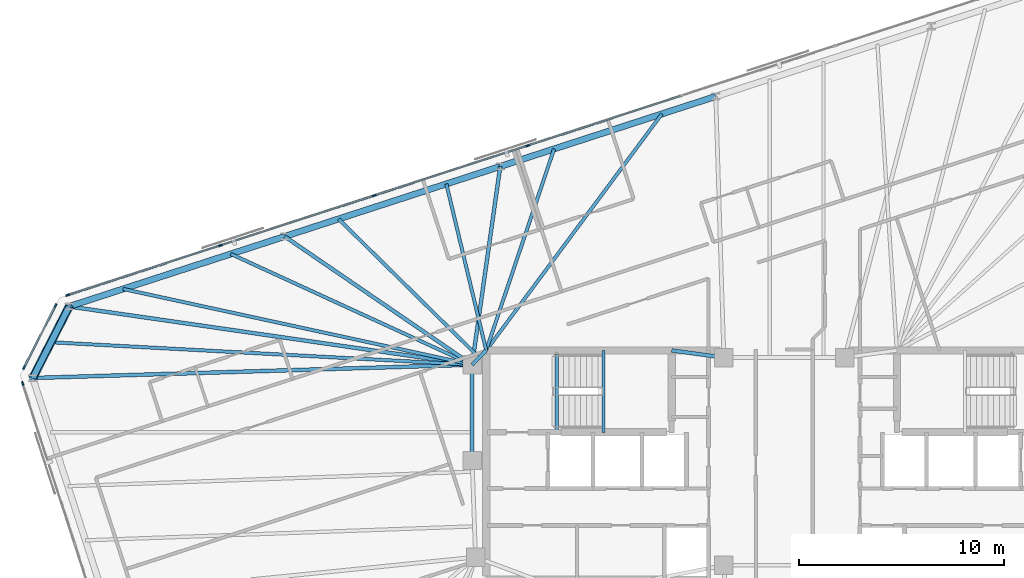
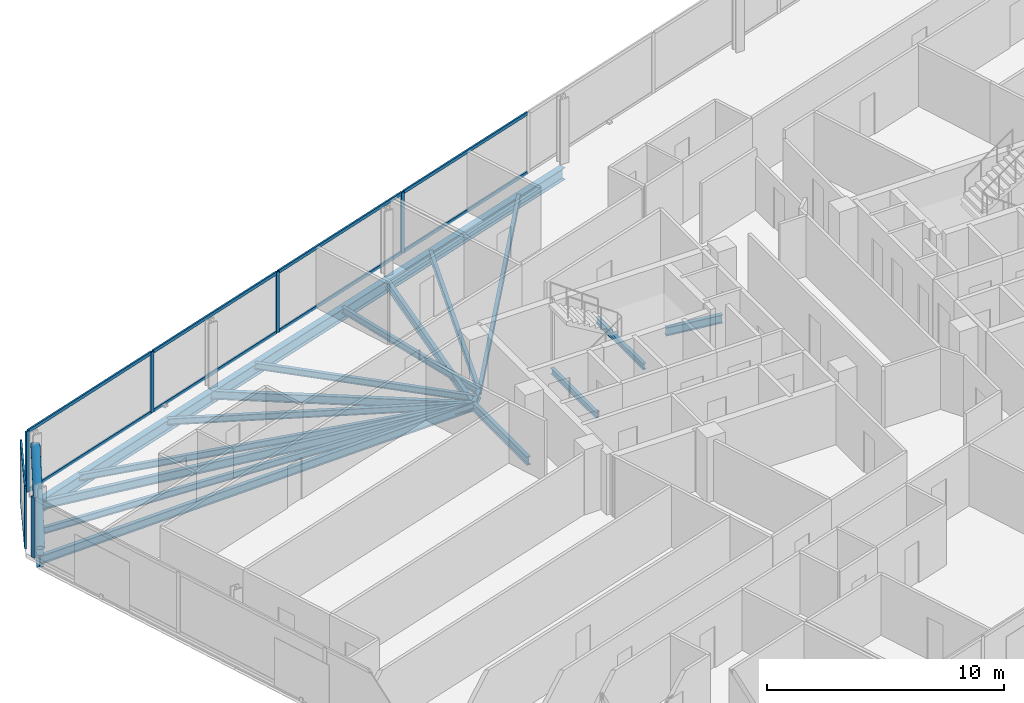
# One storey, part 9 of 19: 20 beams, 18 members, 3 elements without a shape of their own.
"""IFC4 building model written with IfcOpenShell, lengths in metres."""

from ifc_helpers import new_model, si_unit, direction, frame, origin, origin_2d, place, context, subcontext, project, spatial, rectangle, hollow_circle, i_section, extrude, material, material_profile, profile_set, type_object, element, aggregate, save


model = new_model("IFC4")

# Units and contexts
model_context = context("Model", 3, precision=1e-05, world=origin(), true_north=direction((0.0, 1.0)))
body_context = subcontext(model_context, "Body", "Model", "MODEL_VIEW")
ifc_project = project(units=[si_unit("LENGTHUNIT", "METRE"), si_unit("AREAUNIT", "SQUARE_METRE"), si_unit("VOLUMEUNIT", "CUBIC_METRE"), si_unit("PLANEANGLEUNIT", "RADIAN"), si_unit("MASSUNIT", "GRAM", prefix="KILO")], contexts=[model_context])

# Site, building, storey
site_placement = place(None, origin())
site = spatial("IfcSite", under=ifc_project, at=site_placement, CompositionType="ELEMENT")
building_placement = place(site_placement, origin())
building = spatial("IfcBuilding", under=site, at=building_placement, Name="Menara Jurai Vektor", CompositionType="ELEMENT")
storey_placement = place(building_placement, frame((0.0, 0.0, 220.949951171875)))
storey = spatial("IfcBuildingStorey", under=building, at=storey_placement, Name="L58", CompositionType="ELEMENT", Elevation=220.949951171875)

# Curtain wall, members
ifc_material_1 = material(Name="Anodised Pale Aluminium & Low-E Double Glazing", Category="aluminium")
curtain_wall_type = type_object("IfcCurtainWallType", Name="CW-BLK4", PredefinedType="NOTDEFINED", material=ifc_material_1)
curtain_wall_1_placement = place(storey_placement, origin())
curtain_wall_1 = element("IfcCurtainWall", 1, at=curtain_wall_1_placement, inside=storey, type_object=curtain_wall_type, Name="Unitised Curtain Wall L58 F05", PredefinedType="NOTDEFINED")
ifc_material_2 = material(Name="Anodised Pale Aluminium Mullion", Category="aluminium")
ifc_material_profile_1 = material_profile(ifc_material_2, rectangle(XDim=0.080078125, YDim=0.18994140625, at=origin_2d()), Name="ALU MUL 80x190")
ifc_profile_set_1 = profile_set([ifc_material_profile_1], Name="Anodised Pale Aluminium Mullion")
member_type_1 = type_object("IfcMemberType", Name="CW-BLK4-MUL", PredefinedType="MULLION", material=ifc_profile_set_1)
member_1_placement = place(storey_placement, frame((-12.532958984375, 15.601806640625, 0.0), z_axis=(0.0, 0.0, 1.0), x_axis=(0.309017344167, -0.951056402641, 0.0)))
member_1 = element("IfcMember", 2, at=member_1_placement, type_object=member_type_1, Name="CW-04 mullion 5", PredefinedType="MULLION", context=body_context, shape_type="SweptSolid", body=[
    extrude(rectangle(XDim=0.080078125, YDim=0.18994140625, at=origin_2d()), origin(), (0.0, 0.0, 1.0), 3.125),
])
member_2_placement = place(storey_placement, frame((-20.0380859375, 13.163330078125, 0.0), z_axis=(0.0, 0.0, 1.0), x_axis=(0.309017344167, -0.951056402641, 0.0)))
member_2 = element("IfcMember", 3, at=member_2_placement, type_object=member_type_1, Name="CW-04 mullion 6", PredefinedType="MULLION", context=body_context, shape_type="SweptSolid", body=[
    extrude(rectangle(XDim=0.080078125, YDim=0.18994140625, at=origin_2d()), origin(), (0.0, 0.0, 1.0), 3.125),
])
member_3_placement = place(storey_placement, frame((-27.543212890625, 10.724609375, 0.0), z_axis=(0.0, 0.0, 1.0), x_axis=(0.309017344167, -0.951056402641, 0.0)))
member_3 = element("IfcMember", 4, at=member_3_placement, type_object=member_type_1, Name="CW-04 mullion 7", PredefinedType="MULLION", context=body_context, shape_type="SweptSolid", body=[
    extrude(rectangle(XDim=0.080078125, YDim=0.18994140625, at=origin_2d()), origin(), (0.0, 0.0, 1.0), 3.125),
])
member_4_placement = place(storey_placement, frame((-35.010498046875, 8.29833984375, 0.0), z_axis=(0.0, 0.0, 1.0), x_axis=(0.309017344167, -0.951056402641, 0.0)))
member_4 = element("IfcMember", 5, at=member_4_placement, type_object=member_type_1, Name="CW-04 mullion 8", PredefinedType="MULLION", context=body_context, shape_type="SweptSolid", body=[
    extrude(rectangle(XDim=0.080078125, YDim=0.18994140625, at=origin_2d()), origin(), (0.0, 0.0, 1.0), 3.125),
])

curtain_wall_2_placement = place(storey_placement, origin())
curtain_wall_2 = element("IfcCurtainWall", 6, at=curtain_wall_2_placement, inside=storey, type_object=curtain_wall_type, Name="Unitised Curtain Wall L58 F06", PredefinedType="NOTDEFINED")
member_5_placement = place(storey_placement, frame((-35.6005859375, 7.79443359375, 0.0), z_axis=(0.0, 0.0, 1.0), x_axis=(0.89100750243, -0.453988579828, 0.0)))
member_5 = element("IfcMember", 7, at=member_5_placement, type_object=member_type_1, Name="CW-04 mullion 1", PredefinedType="MULLION", context=body_context, shape_type="SweptSolid", body=[
    extrude(rectangle(XDim=0.080078125, YDim=0.18994140625, at=origin_2d()), origin(), (0.0, 0.0, 1.0), 3.125),
])
member_6_placement = place(storey_placement, frame((-37.145263671875, 4.7626953125, 0.0), z_axis=(0.0, 0.0, 1.0), x_axis=(0.89100750243, -0.453988579828, 0.0)))
member_6 = element("IfcMember", 8, at=member_6_placement, type_object=member_type_1, Name="CW-04 mullion 2", PredefinedType="MULLION", context=body_context, shape_type="SweptSolid", body=[
    extrude(rectangle(XDim=0.080078125, YDim=0.18994140625, at=origin_2d()), origin(), (0.0, 0.0, 1.0), 3.125),
])

# Curtain wall, member
curtain_wall_3_placement = place(storey_placement, origin())
curtain_wall_3 = element("IfcCurtainWall", 9, at=curtain_wall_3_placement, inside=storey, type_object=curtain_wall_type, Name="Unitised Curtain Wall L58 F07", PredefinedType="NOTDEFINED")
member_7_placement = place(storey_placement, frame((-37.206298828125, 3.989013671875, 0.0), z_axis=(0.0, 0.0, 1.0), x_axis=(0.95105668295, 0.309016481464, 0.0)))
member_7 = element("IfcMember", 10, at=member_7_placement, type_object=member_type_1, Name="CW-04 mullion 1", PredefinedType="MULLION", context=body_context, shape_type="SweptSolid", body=[
    extrude(rectangle(XDim=0.080078125, YDim=0.18994140625, at=origin_2d()), origin(), (0.0, 0.0, 1.0), 3.125),
])
aggregate(curtain_wall_3, [member_7])

# Member
ifc_material_3 = material(Name="Anodised Pale Aluminium Transom", Category="aluminium")
ifc_material_profile_2 = material_profile(ifc_material_3, rectangle(XDim=0.080078125, YDim=0.1650390625, at=origin_2d()), Name="ALU TRN 80x165")
ifc_profile_set_2 = profile_set([ifc_material_profile_2], Name="Anodised Pale Aluminium Transom")
member_type_2 = type_object("IfcMemberType", Name="CW-BLK4-TRN", PredefinedType="USERDEFINED", material=ifc_profile_set_2)
member_8_placement = place(storey_placement, frame((-5.06591796875, 18.028076171875, 0.0400390625), z_axis=(-0.95105634578, -0.309017519167, 0.0), x_axis=(0.309017519167, -0.95105634578, 0.0)))
member_8 = element("IfcMember", 11, at=member_8_placement, type_object=member_type_2, Name="CW-04 transom 4.1", ObjectType="TRANSOM", PredefinedType="USERDEFINED", context=body_context, shape_type="SweptSolid", body=[
    extrude(rectangle(XDim=0.080078125, YDim=0.1650390625, at=origin_2d()), origin(), (0.0, 0.0, 1.0), 7.811279296875),
])

member_9_placement = place(storey_placement, frame((-5.06591796875, 18.028076171875, 3.0849609375), z_axis=(-0.95105634578, -0.309017519167, 0.0), x_axis=(0.309017519167, -0.95105634578, 0.0)))
member_9 = element("IfcMember", 12, at=member_9_placement, type_object=member_type_2, Name="CW-04 transom 4.2", ObjectType="TRANSOM", PredefinedType="USERDEFINED", context=body_context, shape_type="SweptSolid", body=[
    extrude(rectangle(XDim=0.080078125, YDim=0.1650390625, at=origin_2d()), origin(), (0.0, 0.0, 1.0), 7.811279296875),
])

member_10_placement = place(storey_placement, frame((-12.571044921875, 15.589599609375, 0.0400390625), z_axis=(-0.95104715984, -0.309045789099, 0.0), x_axis=(0.309045789099, -0.95104715984, 0.0)))
member_10 = element("IfcMember", 13, at=member_10_placement, type_object=member_type_2, Name="CW-04 transom 5.1", ObjectType="TRANSOM", PredefinedType="USERDEFINED", context=body_context, shape_type="SweptSolid", body=[
    extrude(rectangle(XDim=0.080078125, YDim=0.1650390625, at=origin_2d()), origin(), (0.0, 0.0, 1.0), 7.811279296875),
])

member_11_placement = place(storey_placement, frame((-12.571044921875, 15.589599609375, 3.0849609375), z_axis=(-0.95104715984, -0.309045789099, 0.0), x_axis=(0.309045789099, -0.95104715984, 0.0)))
member_11 = element("IfcMember", 14, at=member_11_placement, type_object=member_type_2, Name="CW-04 transom 5.2", ObjectType="TRANSOM", PredefinedType="USERDEFINED", context=body_context, shape_type="SweptSolid", body=[
    extrude(rectangle(XDim=0.080078125, YDim=0.1650390625, at=origin_2d()), origin(), (0.0, 0.0, 1.0), 7.811279296875),
])

member_12_placement = place(storey_placement, frame((-20.076171875, 13.15087890625, 0.0400390625), z_axis=(-0.951059330237, -0.309008333817, 0.0), x_axis=(0.309008333817, -0.951059330237, 0.0)))
member_12 = element("IfcMember", 15, at=member_12_placement, type_object=member_type_2, Name="CW-04 transom 6.1", ObjectType="TRANSOM", PredefinedType="USERDEFINED", context=body_context, shape_type="SweptSolid", body=[
    extrude(rectangle(XDim=0.080078125, YDim=0.1650390625, at=origin_2d()), origin(), (0.0, 0.0, 1.0), 7.8115234375),
])

member_13_placement = place(storey_placement, frame((-20.076171875, 13.15087890625, 3.0849609375), z_axis=(-0.951059330237, -0.309008333817, 0.0), x_axis=(0.309008333817, -0.951059330237, 0.0)))
member_13 = element("IfcMember", 16, at=member_13_placement, type_object=member_type_2, Name="CW-04 transom 6.2", ObjectType="TRANSOM", PredefinedType="USERDEFINED", context=body_context, shape_type="SweptSolid", body=[
    extrude(rectangle(XDim=0.080078125, YDim=0.1650390625, at=origin_2d()), origin(), (0.0, 0.0, 1.0), 7.8115234375),
])

member_14_placement = place(storey_placement, frame((-27.581298828125, 10.71240234375, 0.0400390625), z_axis=(-0.951052997543, -0.309027823771, 0.0), x_axis=(0.309027823771, -0.951052997543, 0.0)))
member_14 = element("IfcMember", 17, at=member_14_placement, type_object=member_type_2, Name="CW-04 transom 7.1", ObjectType="TRANSOM", PredefinedType="USERDEFINED", context=body_context, shape_type="SweptSolid", body=[
    extrude(rectangle(XDim=0.080078125, YDim=0.1650390625, at=origin_2d()), origin(), (0.0, 0.0, 1.0), 7.771484375),
])

member_15_placement = place(storey_placement, frame((-27.581298828125, 10.71240234375, 3.0849609375), z_axis=(-0.951052997543, -0.309027823771, 0.0), x_axis=(0.309027823771, -0.951052997543, 0.0)))
member_15 = element("IfcMember", 18, at=member_15_placement, type_object=member_type_2, Name="CW-04 transom 7.2", ObjectType="TRANSOM", PredefinedType="USERDEFINED", context=body_context, shape_type="SweptSolid", body=[
    extrude(rectangle(XDim=0.080078125, YDim=0.1650390625, at=origin_2d()), origin(), (0.0, 0.0, 1.0), 7.771484375),
])

aggregate(curtain_wall_1, [member_1, member_2, member_3, member_4, member_8, member_9, member_10, member_11, member_12, member_13, member_14, member_15])

member_16_placement = place(storey_placement, frame((-35.61865234375, 7.7587890625, 0.0400390625), z_axis=(-0.454019339544, -0.890991828986, 0.0), x_axis=(0.890991828986, -0.454019339544, 0.0)))
member_16 = element("IfcMember", 19, at=member_16_placement, type_object=member_type_2, Name="CW-04 transom 1.1", ObjectType="TRANSOM", PredefinedType="USERDEFINED", context=body_context, shape_type="SweptSolid", body=[
    extrude(rectangle(XDim=0.080078125, YDim=0.1650390625, at=origin_2d()), origin(), (0.0, 0.0, 1.0), 3.32275390625),
])

member_17_placement = place(storey_placement, frame((-35.61865234375, 7.7587890625, 3.0849609375), z_axis=(-0.454019339544, -0.890991828986, 0.0), x_axis=(0.890991828986, -0.454019339544, 0.0)))
member_17 = element("IfcMember", 20, at=member_17_placement, type_object=member_type_2, Name="CW-04 transom 1.2", ObjectType="TRANSOM", PredefinedType="USERDEFINED", context=body_context, shape_type="SweptSolid", body=[
    extrude(rectangle(XDim=0.080078125, YDim=0.1650390625, at=origin_2d()), origin(), (0.0, 0.0, 1.0), 3.32275390625),
])

aggregate(curtain_wall_2, [member_5, member_6, member_16, member_17])

# Beams
ifc_material_4 = material(Name="Steel S355", Category="steel")
ifc_material_profile_3 = material_profile(ifc_material_4, i_section(OverallWidth=0.18505859375, OverallDepth=0.429931640625, WebThickness=0.010986328125, FlangeThickness=0.01806640625, at=origin_2d()), Name="PG 430x185x76")
ifc_profile_set_3 = profile_set([ifc_material_profile_3], Name="Steel S355")
beam_type_1 = type_object("IfcBeamType", Name="STR-BM-430", PredefinedType="BEAM", material=ifc_profile_set_3)
beam_1_placement = place(storey_placement, frame((-15.25, 4.89990234375, -0.43994140625), z_axis=(0.701871936926, 0.712303154672, 0.0), x_axis=(-0.712303154672, 0.701871936926, 0.0)))
element("IfcBeam", 21, at=beam_1_placement, inside=storey, type_object=beam_type_1, Name="Core Ring Header Girder L58-CHW-N1", PredefinedType="BEAM", context=body_context, shape_type="SweptSolid", body=[
    extrude(i_section(OverallWidth=0.18505859375, OverallDepth=0.429931640625, WebThickness=0.010986328125, FlangeThickness=0.01806640625, at=origin_2d()), origin(), (0.0, 0.0, 1.0), 0.98291015625),
])
beam_2_placement = place(storey_placement, frame((-5.5, 5.60009765625, -0.43994140625), z_axis=(0.990706818608, -0.136014703483, 0.0), x_axis=(0.136014703483, 0.990706818608, 0.0)))
element("IfcBeam", 22, at=beam_2_placement, inside=storey, type_object=beam_type_1, Name="Core Ring Header Girder L58-CHW-N2", PredefinedType="BEAM", context=body_context, shape_type="SweptSolid", body=[
    extrude(i_section(OverallWidth=0.18505859375, OverallDepth=0.429931640625, WebThickness=0.010986328125, FlangeThickness=0.01806640625, at=origin_2d()), origin(), (0.0, 0.0, 1.0), 2.573974609375),
])
beam_3_placement = place(storey_placement, frame((-15.25, 0.219970703125, -0.43994140625), z_axis=(0.0, 1.0, 0.0), x_axis=(-1.0, 0.0, 0.0)))
element("IfcBeam", 23, at=beam_3_placement, inside=storey, type_object=beam_type_1, Name="Core Ring Header Girder L58-CHW-W1", PredefinedType="BEAM", context=body_context, shape_type="SweptSolid", body=[
    extrude(i_section(OverallWidth=0.18505859375, OverallDepth=0.429931640625, WebThickness=0.010986328125, FlangeThickness=0.01806640625, at=origin_2d()), origin(), (0.0, 0.0, 1.0), 4.679931640625),
])
beam_4_placement = place(storey_placement, frame((-13.875, 14.58740234375, -0.43994140625), z_axis=(-0.140527035582, -0.990076841599, 0.0), x_axis=(0.990076841599, -0.140527035582, 0.0)))
element("IfcBeam", 24, at=beam_4_placement, inside=storey, type_object=beam_type_1, Name="Radial Floor Girder L58-N4", PredefinedType="BEAM", context=body_context, shape_type="SweptSolid", body=[
    extrude(i_section(OverallWidth=0.18505859375, OverallDepth=0.429931640625, WebThickness=0.010986328125, FlangeThickness=0.01806640625, at=origin_2d()), origin(), (0.0, 0.0, 1.0), 9.78466796875),
])
beam_5_placement = place(storey_placement, frame((-24.404296875, 11.166259765625, -0.43994140625), z_axis=(0.825185786768, -0.564861414257, 0.0), x_axis=(0.564861414257, 0.825185786768, 0.0)))
element("IfcBeam", 25, at=beam_5_placement, inside=storey, type_object=beam_type_1, Name="Radial Floor Girder L58-N5", PredefinedType="BEAM", context=body_context, shape_type="SweptSolid", body=[
    extrude(i_section(OverallWidth=0.18505859375, OverallDepth=0.429931640625, WebThickness=0.010986328125, FlangeThickness=0.01806640625, at=origin_2d()), origin(), (0.0, 0.0, 1.0), 11.093505859375),
])
beam_6_placement = place(storey_placement, frame((-34.93359375, 7.7451171875, -0.43994140625), z_axis=(0.989713916117, -0.14306070126, 0.0), x_axis=(0.14306070126, 0.989713916117, 0.0)))
element("IfcBeam", 26, at=beam_6_placement, inside=storey, type_object=beam_type_1, Name="Radial Floor Girder L58-N6", PredefinedType="BEAM", context=body_context, shape_type="SweptSolid", body=[
    extrude(i_section(OverallWidth=0.18505859375, OverallDepth=0.429931640625, WebThickness=0.010986328125, FlangeThickness=0.01806640625, at=origin_2d()), origin(), (0.0, 0.0, 1.0), 19.88818359375),
])
beam_7_placement = place(storey_placement, frame((-36.71337890625, 4.251953125, -0.43994140625), z_axis=(0.999544635638, 0.030174846589, 0.0), x_axis=(-0.030174846589, 0.999544635638, 0.0)))
element("IfcBeam", 27, at=beam_7_placement, inside=storey, type_object=beam_type_1, Name="Radial Floor Girder L58-W1", PredefinedType="BEAM", context=body_context, shape_type="SweptSolid", body=[
    extrude(i_section(OverallWidth=0.18505859375, OverallDepth=0.429931640625, WebThickness=0.010986328125, FlangeThickness=0.01806640625, at=origin_2d()), origin(), (0.0, 0.0, 1.0), 21.47314453125),
])

# Member
ifc_material_5 = material(Name="Steel S460", Category="steel")
ifc_material_profile_4 = material_profile(ifc_material_5, hollow_circle(Radius=0.203125, WallThickness=0.01611328125, at=origin_2d()), Name="CHS 406.4x16")
ifc_profile_set_4 = profile_set([ifc_material_profile_4], Name="Steel S460")
member_type_3 = type_object("IfcMemberType", Name="STR-BR-406", PredefinedType="BRACE", material=ifc_profile_set_4)
member_18_placement = place(storey_placement, frame((-36.71337890625, 4.251953125, 0.150146484375), z_axis=(0.377225079071, 0.740375367811, 0.556368182465), x_axis=(-0.891013832566, 0.453976155955, 0.0)))
element("IfcMember", 28, at=member_18_placement, inside=storey, type_object=member_type_3, Name="Exoskeleton Corner Brace L58-3", PredefinedType="BRACE", context=body_context, shape_type="SweptSolid", body=[
    extrude(hollow_circle(Radius=0.203125, WallThickness=0.01611328125, at=origin_2d()), origin(), (0.0, 0.0, 1.0), 4.718017578125),
])

# Beams
ifc_material_profile_5 = material_profile(ifc_material_4, i_section(OverallWidth=0.1650390625, OverallDepth=0.330078125, WebThickness=0.009033203125, FlangeThickness=0.013916015625, at=origin_2d()), Name="PG 330x165x46")
ifc_profile_set_5 = profile_set([ifc_material_profile_5], Name="Steel S355")
beam_type_2 = type_object("IfcBeamType", Name="STR-JS-330", PredefinedType="JOIST", material=ifc_profile_set_5)
beam_8_placement = place(storey_placement, frame((-5.97802734375, 17.1533203125, -0.389892578125), z_axis=(-0.59630776033, -0.802755912448, 0.0), x_axis=(0.802755912448, -0.59630776033, 0.0)))
element("IfcBeam", 29, at=beam_8_placement, inside=storey, type_object=beam_type_2, Name="Radial Secondary Floor Joist L58-JS21", PredefinedType="JOIST", context=body_context, shape_type="SweptSolid", body=[
    extrude(i_section(OverallWidth=0.1650390625, OverallDepth=0.330078125, WebThickness=0.009033203125, FlangeThickness=0.013916015625, at=origin_2d()), origin(), (0.0, 0.0, 1.0), 14.391845703125),
])
beam_9_placement = place(storey_placement, frame((-11.24267578125, 15.44287109375, -0.389892578125), z_axis=(-0.319385076217, -0.94762501713, 0.0), x_axis=(0.94762501713, -0.319385076217, 0.0)))
element("IfcBeam", 30, at=beam_9_placement, inside=storey, type_object=beam_type_2, Name="Radial Secondary Floor Joist L58-JS22", PredefinedType="JOIST", context=body_context, shape_type="SweptSolid", body=[
    extrude(i_section(OverallWidth=0.1650390625, OverallDepth=0.330078125, WebThickness=0.009033203125, FlangeThickness=0.013916015625, at=origin_2d()), origin(), (0.0, 0.0, 1.0), 10.38671875),
])
beam_10_placement = place(storey_placement, frame((-16.50732421875, 13.732177734375, -0.389892578125), z_axis=(0.23287158907, -0.972507492518, 0.0), x_axis=(0.972507492518, 0.23287158907, 0.0)))
element("IfcBeam", 31, at=beam_10_placement, inside=storey, type_object=beam_type_2, Name="Radial Secondary Floor Joist L58-JS23", PredefinedType="JOIST", context=body_context, shape_type="SweptSolid", body=[
    extrude(i_section(OverallWidth=0.1650390625, OverallDepth=0.330078125, WebThickness=0.009033203125, FlangeThickness=0.013916015625, at=origin_2d()), origin(), (0.0, 0.0, 1.0), 8.362060546875),
])
beam_11_placement = place(storey_placement, frame((-21.77197265625, 12.021484375, -0.389892578125), z_axis=(0.7121893722, -0.701987391714, 0.0), x_axis=(0.701987391714, 0.7121893722, 0.0)))
element("IfcBeam", 32, at=beam_11_placement, inside=storey, type_object=beam_type_2, Name="Radial Secondary Floor Joist L58-JS24", PredefinedType="JOIST", context=body_context, shape_type="SweptSolid", body=[
    extrude(i_section(OverallWidth=0.1650390625, OverallDepth=0.330078125, WebThickness=0.009033203125, FlangeThickness=0.013916015625, at=origin_2d()), origin(), (0.0, 0.0, 1.0), 9.64404296875),
])
beam_12_placement = place(storey_placement, frame((-27.03662109375, 10.31103515625, -0.389892578125), z_axis=(0.908803804095, -0.417223735738, 0.0), x_axis=(0.417223735738, 0.908803804095, 0.0)))
element("IfcBeam", 33, at=beam_12_placement, inside=storey, type_object=beam_type_2, Name="Radial Secondary Floor Joist L58-JS25", PredefinedType="JOIST", context=body_context, shape_type="SweptSolid", body=[
    extrude(i_section(OverallWidth=0.1650390625, OverallDepth=0.330078125, WebThickness=0.009033203125, FlangeThickness=0.013916015625, at=origin_2d()), origin(), (0.0, 0.0, 1.0), 12.969482421875),
])
beam_13_placement = place(storey_placement, frame((-32.30126953125, 8.600341796875, -0.389892578125), z_axis=(0.977251946396, -0.212081666498, 0.0), x_axis=(0.212081666498, 0.977251946396, 0.0)))
element("IfcBeam", 34, at=beam_13_placement, inside=storey, type_object=beam_type_2, Name="Radial Secondary Floor Joist L58-JS26", PredefinedType="JOIST", context=body_context, shape_type="SweptSolid", body=[
    extrude(i_section(OverallWidth=0.1650390625, OverallDepth=0.330078125, WebThickness=0.009033203125, FlangeThickness=0.013916015625, at=origin_2d()), origin(), (0.0, 0.0, 1.0), 17.4482421875),
])
beam_14_placement = place(storey_placement, frame((-35.823486328125, 5.99853515625, -0.389892578125), z_axis=(0.998577239708, -0.053324444086, 0.0), x_axis=(0.053324444086, 0.998577239708, 0.0)))
element("IfcBeam", 35, at=beam_14_placement, inside=storey, type_object=beam_type_2, Name="Radial Secondary Floor Joist L58-JS27", PredefinedType="JOIST", context=body_context, shape_type="SweptSolid", body=[
    extrude(i_section(OverallWidth=0.1650390625, OverallDepth=0.330078125, WebThickness=0.009033203125, FlangeThickness=0.013916015625, at=origin_2d()), origin(), (0.0, 0.0, 1.0), 20.602783203125),
])
ifc_material_profile_6 = material_profile(ifc_material_4, i_section(OverallWidth=0.1650390625, OverallDepth=0.302978515625, WebThickness=0.006103515625, FlangeThickness=0.010009765625, FilletRadius=0.009033203125, at=origin_2d()), Name="UKB 305x165x40")
ifc_profile_set_6 = profile_set([ifc_material_profile_6], Name="Steel S355")
beam_type_3 = type_object("IfcBeamType", Name="STR-LN-305", PredefinedType="LINTEL", material=ifc_profile_set_6)
beam_15_placement = place(storey_placement, frame((-11.1201171875, 1.60009765625, -0.37646484375), z_axis=(0.0, 1.0, 0.0), x_axis=(-1.0, 0.0, 0.0)))
element("IfcBeam", 36, at=beam_15_placement, inside=storey, type_object=beam_type_3, Name="Stair Well Floor Trimmer ST1 L58", PredefinedType="LINTEL", context=body_context, shape_type="SweptSolid", body=[
    extrude(i_section(OverallWidth=0.1650390625, OverallDepth=0.302978515625, WebThickness=0.006103515625, FlangeThickness=0.010009765625, FilletRadius=0.009033203125, at=origin_2d()), origin(), (0.0, 0.0, 1.0), 3.81982421875),
])
beam_16_placement = place(storey_placement, frame((-8.830078125, 1.60009765625, 1.323486328125), z_axis=(0.0, 1.0, 0.0), x_axis=(-1.0, 0.0, 0.0)))
element("IfcBeam", 37, at=beam_16_placement, inside=storey, type_object=beam_type_3, Name="Stair Half-Landing Nosing Trimmer ST1-1 L58", PredefinedType="LINTEL", context=body_context, shape_type="SweptSolid", body=[
    extrude(i_section(OverallWidth=0.1650390625, OverallDepth=0.302978515625, WebThickness=0.006103515625, FlangeThickness=0.010009765625, FilletRadius=0.009033203125, at=origin_2d()), origin(), (0.0, 0.0, 1.0), 4.0),
])
ifc_material_profile_7 = material_profile(ifc_material_4, i_section(OverallWidth=0.306884765625, OverallDepth=0.6201171875, WebThickness=0.013916015625, FlangeThickness=0.02392578125, FilletRadius=0.01708984375, at=origin_2d()), Name="UKB 610x305x179")
ifc_profile_set_7 = profile_set([ifc_material_profile_7], Name="Steel S355")
beam_type_4 = type_object("IfcBeamType", Name="STR-SP-610", PredefinedType="SPANDREL", material=ifc_profile_set_7)
for number, where, z_axis, x_axis, name in (
    (38, (-3.345703125, 18.008544921875, -0.534912109375), (-0.951057401967, -0.309014268544, 0.0), (0.309014268544, -0.951057401967, 0.0), "Exoskeleton Spandrel Beam L58-13"),
    (39, (-13.875, 14.58740234375, -0.534912109375), (-0.951057401967, -0.309014268544, 0.0), (0.309014268544, -0.951057401967, 0.0), "Exoskeleton Spandrel Beam L58-14"),
    (40, (-24.404296875, 11.166259765625, -0.534912109375), (-0.951057401967, -0.309014268544, 0.0), (0.309014268544, -0.951057401967, 0.0), "Exoskeleton Spandrel Beam L58-15"),
):
    element("IfcBeam", number, at=place(storey_placement, frame(where, z_axis=z_axis, x_axis=x_axis)), inside=storey, type_object=beam_type_4, Name=name, PredefinedType="SPANDREL", context=body_context, shape_type="SweptSolid", body=[
        extrude(i_section(OverallWidth=0.306884765625, OverallDepth=0.6201171875, WebThickness=0.013916015625, FlangeThickness=0.02392578125, FilletRadius=0.01708984375, at=origin_2d()), origin(), (0.0, 0.0, 1.0), 11.071044921875),
    ])
beam_17_placement = place(storey_placement, frame((-34.93359375, 7.7451171875, -0.534912109375), z_axis=(-0.453976155955, -0.891013832566, 0.0), x_axis=(0.891013832566, -0.453976155955, 0.0)))
element("IfcBeam", 41, at=beam_17_placement, inside=storey, type_object=beam_type_4, Name="Exoskeleton Spandrel Beam L58-16", PredefinedType="SPANDREL", context=body_context, shape_type="SweptSolid", body=[
    extrude(i_section(OverallWidth=0.306884765625, OverallDepth=0.6201171875, WebThickness=0.013916015625, FlangeThickness=0.02392578125, FilletRadius=0.01708984375, at=origin_2d()), origin(), (0.0, 0.0, 1.0), 3.92041015625),
])

save(model, "model.ifc")
